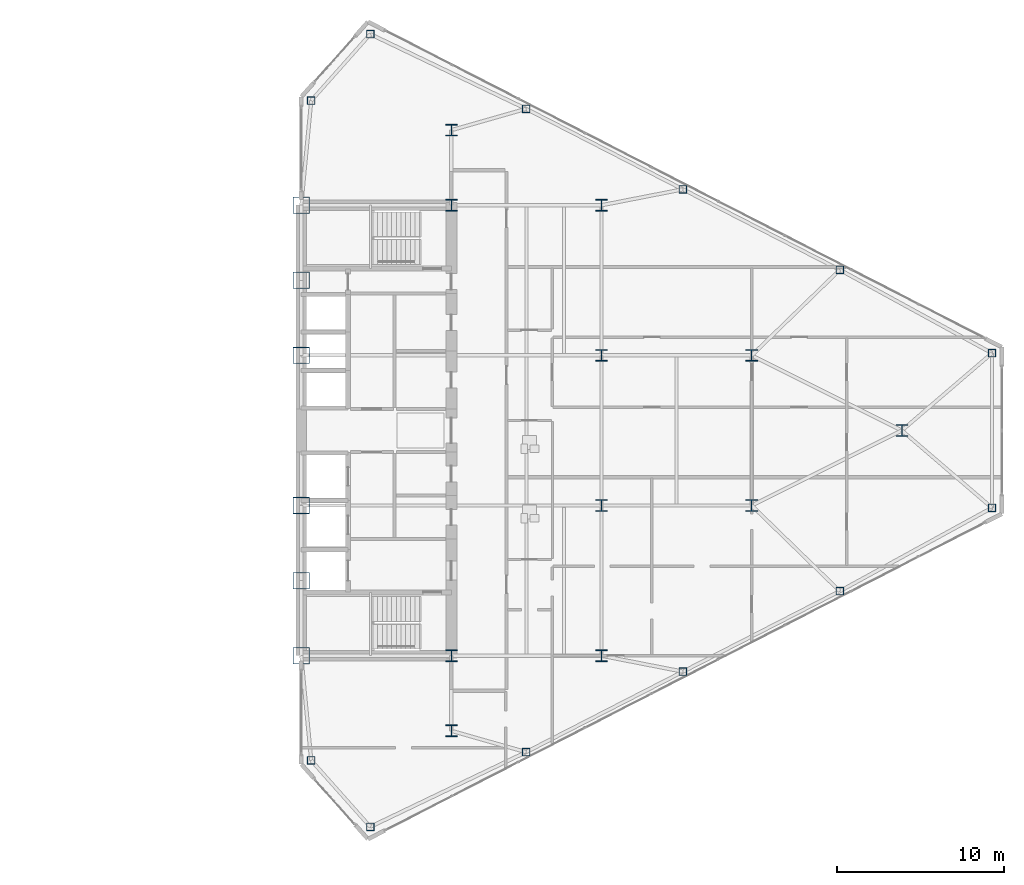
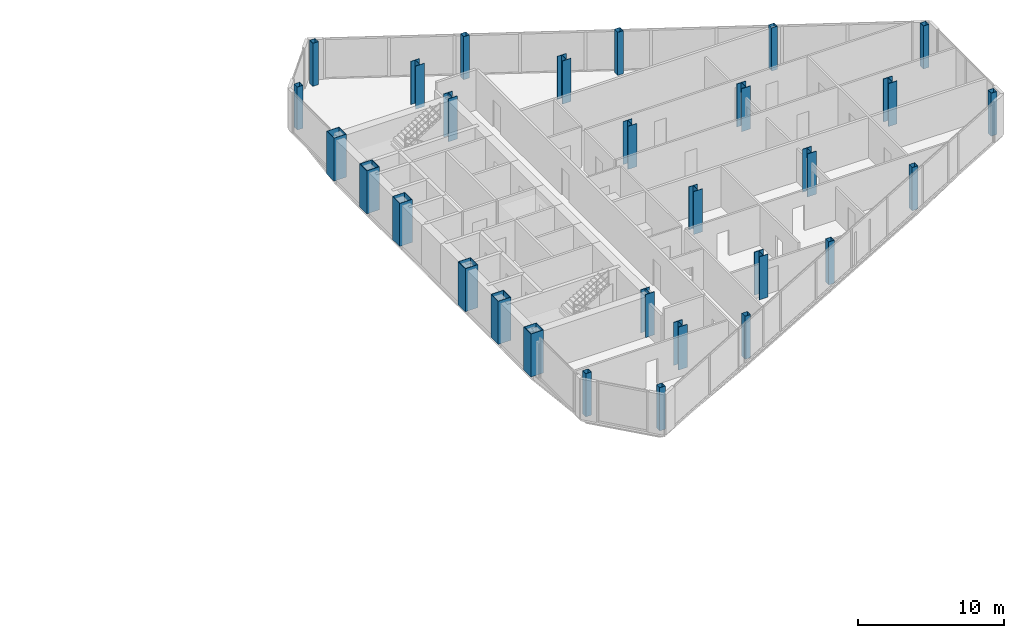
# One storey, part 2 of 24: 29 columns.
"""IFC4 building model written with IfcOpenShell, lengths in metres."""

from ifc_helpers import new_model, si_unit, direction, frame, origin, origin_2d, place, context, subcontext, project, spatial, hollow_rectangle, i_section, extrude, source, transform, mapped, material, material_profile, profile_set, type_object, type_shapes, element, save


model = new_model("IFC4")

# Units and contexts
model_context = context("Model", 3, precision=1e-05, world=origin(), true_north=direction((0.0, 1.0)))
body_context = subcontext(model_context, "Body", "Model", "MODEL_VIEW")
ifc_project = project(units=[si_unit("LENGTHUNIT", "METRE"), si_unit("AREAUNIT", "SQUARE_METRE"), si_unit("VOLUMEUNIT", "CUBIC_METRE"), si_unit("PLANEANGLEUNIT", "RADIAN"), si_unit("MASSUNIT", "GRAM", prefix="KILO")], contexts=[model_context])

# Site, building, storey
site_placement = place(None, origin())
site = spatial("IfcSite", under=ifc_project, at=site_placement, CompositionType="ELEMENT")
building_placement = place(site_placement, origin())
building = spatial("IfcBuilding", under=site, at=building_placement, Name="Seokmaru Belvedere", CompositionType="ELEMENT")
storey_placement = place(building_placement, frame((0.0, 0.0, 117.60009765625)))
storey = spatial("IfcBuildingStorey", under=building, at=storey_placement, Name="L31", CompositionType="ELEMENT", Elevation=117.60009765625)

# Columns
ifc_material_1 = material(Name="Steel HSA650 (650 MPa)", Category="steel")
ifc_material_profile_1 = material_profile(ifc_material_1, hollow_rectangle(XDim=1.0, YDim=1.0, WallThickness=0.0419921875, at=origin_2d()), Name="BOX-1000x1000x42")
ifc_profile_set_1 = profile_set([ifc_material_profile_1], Name="Steel HSA650 (650 MPa)")
column_type_1 = type_object("IfcColumnType", Name="Portal Spine Column BOX-1000", PredefinedType="COLUMN", material=ifc_profile_set_1)
shared_shape_1 = source(origin(), body_context, "Body", "SweptSolid", [
    extrude(hollow_rectangle(XDim=1.0, YDim=1.0, WallThickness=0.0419921875, at=origin_2d()), origin(), (0.0, 0.0, 1.0), 3.599853515625),
])
type_shapes(column_type_1, [shared_shape_1])
for number, where, z_axis, x_axis, name in (
    (1, (27.5, -13.5, 0.0), (0.0, 0.0, 1.0), (1.0, 0.0, 0.0), "L31 Column ES1"),
    (2, (27.5, -9.0, 0.0), (0.0, 0.0, 1.0), (1.0, 0.0, 0.0), "L31 Column ES2"),
    (3, (27.5, -4.5, 0.0), (0.0, 0.0, 1.0), (1.0, 0.0, 0.0), "L31 Column ES3"),
    (4, (27.5, 4.5, 0.0), (0.0, 0.0, 1.0), (1.0, 0.0, 0.0), "L31 Column ES4"),
    (5, (27.5, 9.0, 0.0), (0.0, 0.0, 1.0), (1.0, 0.0, 0.0), "L31 Column ES5"),
    (6, (27.5, 13.5, 0.0), (0.0, 0.0, 1.0), (1.0, 0.0, 0.0), "L31 Column ES6"),
):
    element("IfcColumn", number, at=place(storey_placement, frame(where, z_axis=z_axis, x_axis=x_axis)), inside=storey, type_object=column_type_1, Name=name, PredefinedType="COLUMN", context=body_context, shape_type="MappedRepresentation", body=[
        mapped(shared_shape_1, transform((0.0, 0.0, 0.0), scale=1.0)),
    ])
ifc_material_2 = material(Name="Steel SM355 (355 MPa)", Category="steel")
ifc_material_profile_2 = material_profile(ifc_material_2, i_section(OverallWidth=0.699951171875, OverallDepth=0.699951171875, WebThickness=0.028076171875, FlangeThickness=0.044921875, at=origin_2d()), Name="H-700x700x28x45")
ifc_profile_set_2 = profile_set([ifc_material_profile_2], Name="Steel SM355 (355 MPa)")
column_type_2 = type_object("IfcColumnType", Name="Mid Interior Column H-700", PredefinedType="COLUMN", material=ifc_profile_set_2)
shared_shape_2 = source(origin(), body_context, "Body", "SweptSolid", [
    extrude(i_section(OverallWidth=0.699951171875, OverallDepth=0.699951171875, WebThickness=0.028076171875, FlangeThickness=0.044921875, at=origin_2d()), origin(), (0.0, 0.0, 1.0), 3.599853515625),
])
type_shapes(column_type_2, [shared_shape_2])
for number, where, z_axis, x_axis, name in (
    (7, (36.5, -18.0, 0.0), (0.0, 0.0, 1.0), (1.0, 0.0, 0.0), "L31 Column EC1"),
    (8, (36.5, -13.5, 0.0), (0.0, 0.0, 1.0), (1.0, 0.0, 0.0), "L31 Column EC2"),
    (9, (36.5, 13.5, 0.0), (0.0, 0.0, 1.0), (1.0, 0.0, 0.0), "L31 Column EC3"),
    (10, (36.5, 18.0, 0.0), (0.0, 0.0, 1.0), (1.0, 0.0, 0.0), "L31 Column EC4"),
    (11, (45.5, -13.5, 0.0), (0.0, 0.0, 1.0), (1.0, 0.0, 0.0), "L31 Column EG5_1"),
    (12, (45.5, -4.5, 0.0), (0.0, 0.0, 1.0), (1.0, 0.0, 0.0), "L31 Column EG5_2"),
    (13, (45.5, 4.5, 0.0), (0.0, 0.0, 1.0), (1.0, 0.0, 0.0), "L31 Column EG5_3"),
    (14, (45.5, 13.5, 0.0), (0.0, 0.0, 1.0), (1.0, 0.0, 0.0), "L31 Column EG5_4"),
    (15, (54.5, -4.5, 0.0), (0.0, 0.0, 1.0), (1.0, 0.0, 0.0), "L31 Column EG4P_1"),
    (16, (54.5, 4.5, 0.0), (0.0, 0.0, 1.0), (1.0, 0.0, 0.0), "L31 Column EG4P_2"),
    (17, (63.5, 0.0, 0.0), (0.0, 0.0, 1.0), (1.0, 0.0, 0.0), "L31 Column EG3P_1"),
):
    element("IfcColumn", number, at=place(storey_placement, frame(where, z_axis=z_axis, x_axis=x_axis)), inside=storey, type_object=column_type_2, Name=name, PredefinedType="COLUMN", context=body_context, shape_type="MappedRepresentation", body=[
        mapped(shared_shape_2, transform((0.0, 0.0, 0.0), scale=1.0)),
    ])
ifc_material_profile_3 = material_profile(ifc_material_2, hollow_rectangle(XDim=0.449951171875, YDim=0.449951171875, WallThickness=0.01806640625, at=origin_2d()), Name="HSS-450x450x18")
ifc_profile_set_3 = profile_set([ifc_material_profile_3], Name="Steel SM355 (355 MPa)")
column_type_3 = type_object("IfcColumnType", Name="Perimeter Facet Column HSS-450", PredefinedType="COLUMN", material=ifc_profile_set_3)
shared_shape_3 = source(origin(), body_context, "Body", "SweptSolid", [
    extrude(hollow_rectangle(XDim=0.449951171875, YDim=0.449951171875, WallThickness=0.01806640625, at=origin_2d()), origin(), (0.0, 0.0, 1.0), 3.599853515625),
])
type_shapes(column_type_3, [shared_shape_3])
for number, where, z_axis, x_axis, name in (
    (18, (31.6396484375, -23.75390625, 0.0), (0.0, 0.0, 1.0), (1.0, 0.0, 0.0), "L31 Column EF1"),
    (19, (68.89990234375, -4.633544921875, 0.0), (0.0, 0.0, 1.0), (1.0, 0.0, 0.0), "L31 Column EF2"),
    (20, (68.89990234375, 4.633544921875, 0.0), (0.0, 0.0, 1.0), (1.0, 0.0, 0.0), "L31 Column EF3"),
    (21, (31.6396484375, 23.75390625, 0.0), (0.0, 0.0, 1.0), (1.0, 0.0, 0.0), "L31 Column EF4"),
    (22, (28.10009765625, 19.77197265625, 0.0), (0.0, 0.0, 1.0), (1.0, 0.0, 0.0), "L31 Column EF5"),
    (23, (28.10009765625, -19.77197265625, 0.0), (0.0, 0.0, 1.0), (1.0, 0.0, 0.0), "L31 Column EF6"),
    (24, (40.975830078125, -19.277587890625, 0.0), (0.0, 0.0, 1.0), (1.0, 0.0, 0.0), "L31 Column EFLK_S1"),
    (25, (50.377197265625, -14.453369140625, 0.0), (0.0, 0.0, 1.0), (1.0, 0.0, 0.0), "L31 Column EFLK_S2"),
    (26, (59.778564453125, -9.62890625, 0.0), (0.0, 0.0, 1.0), (1.0, 0.0, 0.0), "L31 Column EFLK_S3"),
    (27, (40.975830078125, 19.277587890625, 0.0), (0.0, 0.0, 1.0), (1.0, 0.0, 0.0), "L31 Column EFLK_N1"),
    (28, (50.377197265625, 14.453369140625, 0.0), (0.0, 0.0, 1.0), (1.0, 0.0, 0.0), "L31 Column EFLK_N2"),
    (29, (59.778564453125, 9.62890625, 0.0), (0.0, 0.0, 1.0), (1.0, 0.0, 0.0), "L31 Column EFLK_N3"),
):
    element("IfcColumn", number, at=place(storey_placement, frame(where, z_axis=z_axis, x_axis=x_axis)), inside=storey, type_object=column_type_3, Name=name, PredefinedType="COLUMN", context=body_context, shape_type="MappedRepresentation", body=[
        mapped(shared_shape_3, transform((0.0, 0.0, 0.0), scale=1.0)),
    ])

save(model, "model.ifc")
